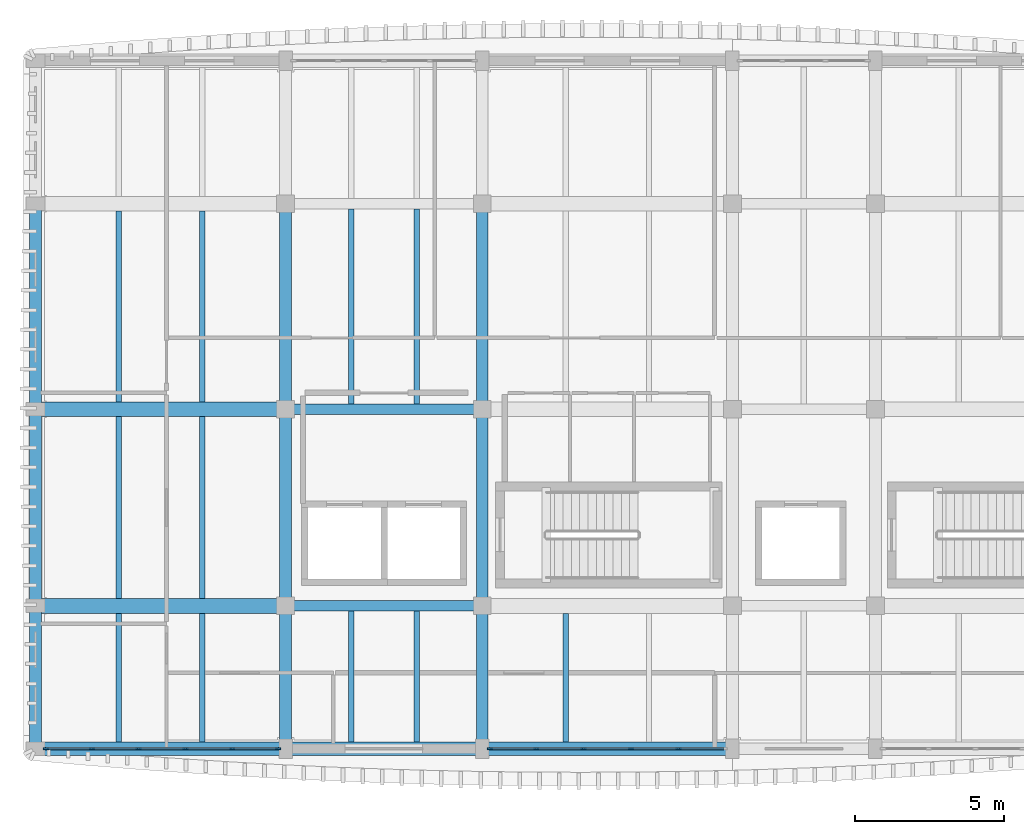
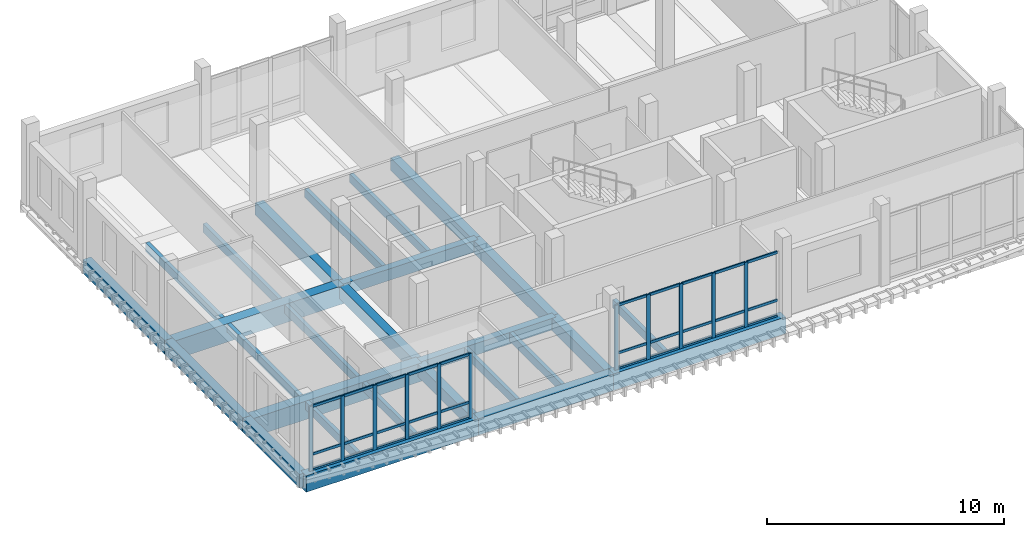
# One storey, part 2 of 16: 41 members, 27 beams, 2 elements without a shape of their own.
"""IFC4 building model written with IfcOpenShell, lengths in metres."""

from ifc_helpers import new_model, si_unit, direction, frame, origin, origin_2d, place, context, subcontext, project, spatial, rectangle, extrude, material, material_profile, profile_set, type_object, element, aggregate, save


model = new_model("IFC4")

# Units and contexts
model_context = context("Model", 3, precision=1e-05, world=origin(), true_north=direction((0.0, 1.0)))
body_context = subcontext(model_context, "Body", "Model", "MODEL_VIEW")
ifc_project = project(units=[si_unit("LENGTHUNIT", "METRE"), si_unit("AREAUNIT", "SQUARE_METRE"), si_unit("VOLUMEUNIT", "CUBIC_METRE"), si_unit("PLANEANGLEUNIT", "RADIAN"), si_unit("MASSUNIT", "GRAM", prefix="KILO")], contexts=[model_context])

# Site, building, storey
site_placement = place(None, origin())
site = spatial("IfcSite", under=ifc_project, at=site_placement, CompositionType="ELEMENT")
building_placement = place(site_placement, origin())
building = spatial("IfcBuilding", under=site, at=building_placement, Name="Dornvale Research Institute", CompositionType="ELEMENT")
storey_placement = place(building_placement, frame((0.0, 0.0, 38.39990234375)))
storey = spatial("IfcBuildingStorey", under=building, at=storey_placement, Name="L08", CompositionType="ELEMENT", Elevation=38.39990234375)

# Beams
ifc_material_1 = material(Name="Concrete f'c 45 MPa (C35/45)", Category="concrete")
ifc_material_profile_1 = material_profile(ifc_material_1, rectangle(XDim=0.35009765625, YDim=0.60009765625, at=origin_2d()), Name="RC 350x600")
ifc_profile_set_1 = profile_set([ifc_material_profile_1], Name="Concrete f'c 45 MPa (C35/45)")
beam_type_1 = type_object("IfcBeamType", Name="Beam_RC350x600_Floor", PredefinedType="BEAM", material=ifc_profile_set_1)
for number, where, z_axis, x_axis, name in (
    (1, (13.199951171875, 103.800048828125, -0.2998046875), (1.0, 0.0, 0.0), (0.0, 1.0, 0.0), "L08 primary girder #1668"),
    (2, (13.199951171875, 110.39990234375, -0.2998046875), (1.0, 0.0, 0.0), (0.0, 1.0, 0.0), "L08 primary girder #1673"),
):
    element("IfcBeam", number, at=place(storey_placement, frame(where, z_axis=z_axis, x_axis=x_axis)), inside=storey, type_object=beam_type_1, Name=name, PredefinedType="BEAM", context=body_context, shape_type="SweptSolid", body=[
        extrude(rectangle(XDim=0.35009765625, YDim=0.60009765625, at=origin_2d()), origin(), (0.0, 0.0, 1.0), 6.60009765625),
    ])
ifc_material_2 = material(Name="Concrete f'c 45 MPa (C35/45)", Category="concrete")
ifc_material_profile_2 = material_profile(ifc_material_2, rectangle(XDim=0.39990234375, YDim=0.64990234375, at=origin_2d()), Name="RC 400x650")
ifc_profile_set_2 = profile_set([ifc_material_profile_2], Name="Concrete f'c 45 MPa (C35/45)")
beam_type_2 = type_object("IfcBeamType", Name="Beam_RC400x650_Floor", PredefinedType="BEAM", material=ifc_profile_set_2)
beam_1_placement = place(storey_placement, frame((13.199951171875, 99.0, -0.324951171875), z_axis=(0.0, 1.0, 0.0), x_axis=(-1.0, 0.0, 0.0)))
element("IfcBeam", 3, at=beam_1_placement, inside=storey, type_object=beam_type_2, Name="L08 transverse girder #1691", PredefinedType="BEAM", context=body_context, shape_type="SweptSolid", body=[
    extrude(rectangle(XDim=0.39990234375, YDim=0.64990234375, at=origin_2d()), origin(), (0.0, 0.0, 1.0), 4.800048828125),
])
beam_2_placement = place(storey_placement, frame((13.199951171875, 103.800048828125, -0.324951171875), z_axis=(0.0, 1.0, 0.0), x_axis=(-1.0, 0.0, 0.0)))
element("IfcBeam", 4, at=beam_2_placement, inside=storey, type_object=beam_type_2, Name="L08 transverse girder #1692", PredefinedType="BEAM", context=body_context, shape_type="SweptSolid", body=[
    extrude(rectangle(XDim=0.39990234375, YDim=0.64990234375, at=origin_2d()), origin(), (0.0, 0.0, 1.0), 6.599853515625),
])
beam_3_placement = place(storey_placement, frame((13.199951171875, 110.39990234375, -0.324951171875), z_axis=(0.0, 1.0, 0.0), x_axis=(-1.0, 0.0, 0.0)))
element("IfcBeam", 5, at=beam_3_placement, inside=storey, type_object=beam_type_2, Name="L08 transverse girder #1693", PredefinedType="BEAM", context=body_context, shape_type="SweptSolid", body=[
    extrude(rectangle(XDim=0.39990234375, YDim=0.64990234375, at=origin_2d()), origin(), (0.0, 0.0, 1.0), 6.900146484375),
])
beam_4_placement = place(storey_placement, frame((19.800048828125, 99.0, -0.324951171875), z_axis=(0.0, 1.0, 0.0), x_axis=(-1.0, 0.0, 0.0)))
element("IfcBeam", 6, at=beam_4_placement, inside=storey, type_object=beam_type_2, Name="L08 transverse girder #1695", PredefinedType="BEAM", context=body_context, shape_type="SweptSolid", body=[
    extrude(rectangle(XDim=0.39990234375, YDim=0.64990234375, at=origin_2d()), origin(), (0.0, 0.0, 1.0), 4.800048828125),
])
beam_5_placement = place(storey_placement, frame((19.800048828125, 103.800048828125, -0.324951171875), z_axis=(0.0, 1.0, 0.0), x_axis=(-1.0, 0.0, 0.0)))
element("IfcBeam", 7, at=beam_5_placement, inside=storey, type_object=beam_type_2, Name="L08 transverse girder #1696", PredefinedType="BEAM", context=body_context, shape_type="SweptSolid", body=[
    extrude(rectangle(XDim=0.39990234375, YDim=0.64990234375, at=origin_2d()), origin(), (0.0, 0.0, 1.0), 6.599853515625),
])
beam_6_placement = place(storey_placement, frame((19.800048828125, 110.39990234375, -0.324951171875), z_axis=(0.0, 1.0, 0.0), x_axis=(-1.0, 0.0, 0.0)))
element("IfcBeam", 8, at=beam_6_placement, inside=storey, type_object=beam_type_2, Name="L08 transverse girder #1697", PredefinedType="BEAM", context=body_context, shape_type="SweptSolid", body=[
    extrude(rectangle(XDim=0.39990234375, YDim=0.64990234375, at=origin_2d()), origin(), (0.0, 0.0, 1.0), 6.900146484375),
])
ifc_material_3 = material(Name="Concrete f'c 45 MPa (C35/45)", Category="concrete")
ifc_material_profile_3 = material_profile(ifc_material_3, rectangle(XDim=0.5, YDim=0.949951171875, at=origin_2d()), Name="RC 500x950")
ifc_profile_set_3 = profile_set([ifc_material_profile_3], Name="Concrete f'c 45 MPa (C35/45)")
beam_type_3 = type_object("IfcBeamType", Name="Beam_RC500x950_Girder", PredefinedType="BEAM", material=ifc_profile_set_3)
for number, where, z_axis, x_axis, name in (
    (9, (4.800048828125, 103.800048828125, -0.474853515625), (1.0, 0.0, 0.0), (0.0, 1.0, 0.0), "L08 primary girder #1667"),
    (10, (4.800048828125, 110.39990234375, -0.474853515625), (1.0, 0.0, 0.0), (0.0, 1.0, 0.0), "L08 primary girder #1672"),
):
    element("IfcBeam", number, at=place(storey_placement, frame(where, z_axis=z_axis, x_axis=x_axis)), inside=storey, type_object=beam_type_3, Name=name, PredefinedType="BEAM", context=body_context, shape_type="SweptSolid", body=[
        extrude(rectangle(XDim=0.5, YDim=0.949951171875, at=origin_2d()), origin(), (0.0, 0.0, 1.0), 8.39990234375),
    ])
ifc_material_4 = material(Name="Concrete f'c 45 MPa (C35/45)", Category="concrete")
ifc_material_profile_4 = material_profile(ifc_material_4, rectangle(XDim=0.179931640625, YDim=0.43505859375, at=origin_2d()), Name="RC 180x435")
ifc_profile_set_4 = profile_set([ifc_material_profile_4], Name="Concrete f'c 45 MPa (C35/45)")
beam_type_4 = type_object("IfcBeamType", Name="Joist_RC180x435_Rib", PredefinedType="JOIST", material=ifc_profile_set_4)
for number, where, z_axis, x_axis, name in (
    (11, (7.60009765625, 99.22509765625, -0.21728515625), (0.0, 1.0, 0.0), (-1.0, 0.0, 0.0), "L08 laboratory waffle joist #792"),
    (12, (10.39990234375, 99.22509765625, -0.21728515625), (0.0, 1.0, 0.0), (-1.0, 0.0, 0.0), "L08 laboratory waffle joist #793"),
):
    element("IfcBeam", number, at=place(storey_placement, frame(where, z_axis=z_axis, x_axis=x_axis)), inside=storey, type_object=beam_type_4, Name=name, PredefinedType="JOIST", context=body_context, shape_type="SweptSolid", body=[
        extrude(rectangle(XDim=0.179931640625, YDim=0.43505859375, at=origin_2d()), origin(), (0.0, 0.0, 1.0), 4.324951171875),
    ])
for number, where, z_axis, x_axis, name in (
    (13, (7.60009765625, 104.050048828125, -0.21728515625), (0.0, 1.0, 0.0), (-1.0, 0.0, 0.0), "L08 laboratory waffle joist #794"),
    (14, (10.39990234375, 104.050048828125, -0.21728515625), (0.0, 1.0, 0.0), (-1.0, 0.0, 0.0), "L08 laboratory waffle joist #795"),
):
    element("IfcBeam", number, at=place(storey_placement, frame(where, z_axis=z_axis, x_axis=x_axis)), inside=storey, type_object=beam_type_4, Name=name, PredefinedType="JOIST", context=body_context, shape_type="SweptSolid", body=[
        extrude(rectangle(XDim=0.179931640625, YDim=0.43505859375, at=origin_2d()), origin(), (0.0, 0.0, 1.0), 6.099853515625),
    ])
for number, where, z_axis, x_axis, name in (
    (15, (7.60009765625, 110.64990234375, -0.21728515625), (0.0, 1.0, 0.0), (-1.0, 0.0, 0.0), "L08 laboratory waffle joist #796"),
    (16, (10.39990234375, 110.64990234375, -0.21728515625), (0.0, 1.0, 0.0), (-1.0, 0.0, 0.0), "L08 laboratory waffle joist #797"),
):
    element("IfcBeam", number, at=place(storey_placement, frame(where, z_axis=z_axis, x_axis=x_axis)), inside=storey, type_object=beam_type_4, Name=name, PredefinedType="JOIST", context=body_context, shape_type="SweptSolid", body=[
        extrude(rectangle(XDim=0.179931640625, YDim=0.43505859375, at=origin_2d()), origin(), (0.0, 0.0, 1.0), 6.400146484375),
    ])
for number, where, z_axis, x_axis, name in (
    (17, (15.39990234375, 99.22509765625, -0.21728515625), (0.0, 1.0, 0.0), (-1.0, 0.0, 0.0), "L08 laboratory waffle joist #800"),
    (18, (17.60009765625, 99.22509765625, -0.21728515625), (0.0, 1.0, 0.0), (-1.0, 0.0, 0.0), "L08 laboratory waffle joist #801"),
):
    element("IfcBeam", number, at=place(storey_placement, frame(where, z_axis=z_axis, x_axis=x_axis)), inside=storey, type_object=beam_type_4, Name=name, PredefinedType="JOIST", context=body_context, shape_type="SweptSolid", body=[
        extrude(rectangle(XDim=0.179931640625, YDim=0.43505859375, at=origin_2d()), origin(), (0.0, 0.0, 1.0), 4.39990234375),
    ])
for number, where, z_axis, x_axis, name in (
    (19, (15.39990234375, 110.574951171875, -0.21728515625), (0.0, 1.0, 0.0), (-1.0, 0.0, 0.0), "L08 laboratory waffle joist #802"),
    (20, (17.60009765625, 110.574951171875, -0.21728515625), (0.0, 1.0, 0.0), (-1.0, 0.0, 0.0), "L08 laboratory waffle joist #803"),
):
    element("IfcBeam", number, at=place(storey_placement, frame(where, z_axis=z_axis, x_axis=x_axis)), inside=storey, type_object=beam_type_4, Name=name, PredefinedType="JOIST", context=body_context, shape_type="SweptSolid", body=[
        extrude(rectangle(XDim=0.179931640625, YDim=0.43505859375, at=origin_2d()), origin(), (0.0, 0.0, 1.0), 6.550048828125),
    ])
beam_7_placement = place(storey_placement, frame((22.60009765625, 99.22509765625, -0.21728515625), z_axis=(0.0, 1.0, 0.0), x_axis=(-1.0, 0.0, 0.0)))
element("IfcBeam", 21, at=beam_7_placement, inside=storey, type_object=beam_type_4, Name="L08 laboratory waffle joist #806", PredefinedType="JOIST", context=body_context, shape_type="SweptSolid", body=[
    extrude(rectangle(XDim=0.179931640625, YDim=0.43505859375, at=origin_2d()), origin(), (0.0, 0.0, 1.0), 4.324951171875),
])

# Curtain wall, members
ifc_material_5 = material(Name="Low-E Argon Double Insulating Glazing Unit", Category="glass")
curtain_wall_type_1 = type_object("IfcCurtainWallType", Name="UnitisedCurtainWall_V5_7950x3350", PredefinedType="USERDEFINED", material=ifc_material_5)
curtain_wall_1_placement = place(storey_placement, origin())
curtain_wall_1 = element("IfcCurtainWall", 22, at=curtain_wall_1_placement, inside=storey, type_object=curtain_wall_type_1, Name="L08 V5 unitised curtain wall CW-38 #193", ObjectType="UNITISED CURTAIN WALL", PredefinedType="USERDEFINED")
ifc_material_6 = material(Name="Anodized Aluminum AA 6063-T6 Thermally Broken Frame", Category="aluminium")
ifc_material_profile_5 = material_profile(ifc_material_6, rectangle(XDim=0.06494140625, YDim=0.179931640625, at=origin_2d()), Name="ALU MULLION 65x180")
ifc_profile_set_5 = profile_set([ifc_material_profile_5], Name="Anodized Aluminum AA 6063-T6 Thermally Broken Frame")
member_type_1 = type_object("IfcMemberType", Name="Mullion_CW_65x180", PredefinedType="MULLION", material=ifc_profile_set_5)
member_1_placement = place(storey_placement, frame((26.385009765625, 99.0, 0.0), z_axis=(0.0, 0.0, 1.0), x_axis=(0.0, -1.0, 0.0)))
member_1 = element("IfcMember", 23, at=member_1_placement, type_object=member_type_1, Name="CW-38 mullion 2", PredefinedType="MULLION", context=body_context, shape_type="SweptSolid", body=[
    extrude(rectangle(XDim=0.06494140625, YDim=0.179931640625, at=origin_2d()), origin(), (0.0, 0.0, 1.0), 3.35009765625),
])
member_2_placement = place(storey_placement, frame((24.794921875, 99.0, 0.0), z_axis=(0.0, 0.0, 1.0), x_axis=(0.0, -1.0, 0.0)))
member_2 = element("IfcMember", 24, at=member_2_placement, type_object=member_type_1, Name="CW-38 mullion 3", PredefinedType="MULLION", context=body_context, shape_type="SweptSolid", body=[
    extrude(rectangle(XDim=0.06494140625, YDim=0.179931640625, at=origin_2d()), origin(), (0.0, 0.0, 1.0), 3.35009765625),
])
member_3_placement = place(storey_placement, frame((23.205078125, 99.0, 0.0), z_axis=(0.0, 0.0, 1.0), x_axis=(0.0, -1.0, 0.0)))
member_3 = element("IfcMember", 25, at=member_3_placement, type_object=member_type_1, Name="CW-38 mullion 4", PredefinedType="MULLION", context=body_context, shape_type="SweptSolid", body=[
    extrude(rectangle(XDim=0.06494140625, YDim=0.179931640625, at=origin_2d()), origin(), (0.0, 0.0, 1.0), 3.35009765625),
])
member_4_placement = place(storey_placement, frame((21.614990234375, 99.0, 0.0), z_axis=(0.0, 0.0, 1.0), x_axis=(0.0, -1.0, 0.0)))
member_4 = element("IfcMember", 26, at=member_4_placement, type_object=member_type_1, Name="CW-38 mullion 5", PredefinedType="MULLION", context=body_context, shape_type="SweptSolid", body=[
    extrude(rectangle(XDim=0.06494140625, YDim=0.179931640625, at=origin_2d()), origin(), (0.0, 0.0, 1.0), 3.35009765625),
])
member_5_placement = place(storey_placement, frame((20.0576171875, 99.0, 0.0), z_axis=(0.0, 0.0, 1.0), x_axis=(0.0, -1.0, 0.0)))
member_5 = element("IfcMember", 27, at=member_5_placement, type_object=member_type_1, Name="CW-38 mullion 6", PredefinedType="MULLION", context=body_context, shape_type="SweptSolid", body=[
    extrude(rectangle(XDim=0.06494140625, YDim=0.179931640625, at=origin_2d()), origin(), (0.0, 0.0, 1.0), 3.35009765625),
])

ifc_material_7 = material(Name="Low-E Argon Double Insulating Glazing Unit", Category="glass")
curtain_wall_type_2 = type_object("IfcCurtainWallType", Name="UnitisedCurtainWall_V5_7850x3350", PredefinedType="USERDEFINED", material=ifc_material_7)
curtain_wall_2_placement = place(storey_placement, origin())
curtain_wall_2 = element("IfcCurtainWall", 28, at=curtain_wall_2_placement, inside=storey, type_object=curtain_wall_type_2, Name="L08 V5 unitised curtain wall CW-37 #194", ObjectType="UNITISED CURTAIN WALL", PredefinedType="USERDEFINED")
member_6_placement = place(storey_placement, frame((12.9423828125, 99.0, 0.0), z_axis=(0.0, 0.0, 1.0), x_axis=(0.0, -1.0, 0.0)))
member_6 = element("IfcMember", 29, at=member_6_placement, type_object=member_type_1, Name="CW-37 mullion 1", PredefinedType="MULLION", context=body_context, shape_type="SweptSolid", body=[
    extrude(rectangle(XDim=0.06494140625, YDim=0.179931640625, at=origin_2d()), origin(), (0.0, 0.0, 1.0), 3.35009765625),
])
member_7_placement = place(storey_placement, frame((11.405029296875, 99.0, 0.0), z_axis=(0.0, 0.0, 1.0), x_axis=(0.0, -1.0, 0.0)))
member_7 = element("IfcMember", 30, at=member_7_placement, type_object=member_type_1, Name="CW-37 mullion 2", PredefinedType="MULLION", context=body_context, shape_type="SweptSolid", body=[
    extrude(rectangle(XDim=0.06494140625, YDim=0.179931640625, at=origin_2d()), origin(), (0.0, 0.0, 1.0), 3.35009765625),
])
member_8_placement = place(storey_placement, frame((9.8349609375, 99.0, 0.0), z_axis=(0.0, 0.0, 1.0), x_axis=(0.0, -1.0, 0.0)))
member_8 = element("IfcMember", 31, at=member_8_placement, type_object=member_type_1, Name="CW-37 mullion 3", PredefinedType="MULLION", context=body_context, shape_type="SweptSolid", body=[
    extrude(rectangle(XDim=0.06494140625, YDim=0.179931640625, at=origin_2d()), origin(), (0.0, 0.0, 1.0), 3.35009765625),
])
member_9_placement = place(storey_placement, frame((8.264892578125, 99.0, 0.0), z_axis=(0.0, 0.0, 1.0), x_axis=(0.0, -1.0, 0.0)))
member_9 = element("IfcMember", 32, at=member_9_placement, type_object=member_type_1, Name="CW-37 mullion 4", PredefinedType="MULLION", context=body_context, shape_type="SweptSolid", body=[
    extrude(rectangle(XDim=0.06494140625, YDim=0.179931640625, at=origin_2d()), origin(), (0.0, 0.0, 1.0), 3.35009765625),
])
member_10_placement = place(storey_placement, frame((6.695068359375, 99.0, 0.0), z_axis=(0.0, 0.0, 1.0), x_axis=(0.0, -1.0, 0.0)))
member_10 = element("IfcMember", 33, at=member_10_placement, type_object=member_type_1, Name="CW-37 mullion 5", PredefinedType="MULLION", context=body_context, shape_type="SweptSolid", body=[
    extrude(rectangle(XDim=0.06494140625, YDim=0.179931640625, at=origin_2d()), origin(), (0.0, 0.0, 1.0), 3.35009765625),
])
member_11_placement = place(storey_placement, frame((5.157470703125, 99.0, 0.0), z_axis=(0.0, 0.0, 1.0), x_axis=(0.0, -1.0, 0.0)))
member_11 = element("IfcMember", 34, at=member_11_placement, type_object=member_type_1, Name="CW-37 mullion 6", PredefinedType="MULLION", context=body_context, shape_type="SweptSolid", body=[
    extrude(rectangle(XDim=0.06494140625, YDim=0.179931640625, at=origin_2d()), origin(), (0.0, 0.0, 1.0), 3.35009765625),
])

# Beams
ifc_material_8 = material(Name="Concrete f'c 45 MPa (C35/45)", Category="concrete")
ifc_material_profile_6 = material_profile(ifc_material_8, rectangle(XDim=0.39990234375, YDim=0.699951171875, at=origin_2d()), Name="RC 400x700")
ifc_profile_set_6 = profile_set([ifc_material_profile_6], Name="Concrete f'c 45 MPa (C35/45)")
beam_type_5 = type_object("IfcBeamType", Name="Spandrel_RC400x700_Ext", PredefinedType="SPANDREL", material=ifc_profile_set_6)
beam_8_placement = place(storey_placement, frame((4.800048828125, 99.0, -0.349853515625), z_axis=(0.0, 1.0, 0.0), x_axis=(-1.0, 0.0, 0.0)))
element("IfcBeam", 35, at=beam_8_placement, inside=storey, type_object=beam_type_5, Name="L08 perimeter spandrel #1687", PredefinedType="SPANDREL", context=body_context, shape_type="SweptSolid", body=[
    extrude(rectangle(XDim=0.39990234375, YDim=0.699951171875, at=origin_2d()), origin(), (0.0, 0.0, 1.0), 4.800048828125),
])
beam_9_placement = place(storey_placement, frame((4.800048828125, 103.800048828125, -0.349853515625), z_axis=(0.0, 1.0, 0.0), x_axis=(-1.0, 0.0, 0.0)))
element("IfcBeam", 36, at=beam_9_placement, inside=storey, type_object=beam_type_5, Name="L08 perimeter spandrel #1688", PredefinedType="SPANDREL", context=body_context, shape_type="SweptSolid", body=[
    extrude(rectangle(XDim=0.39990234375, YDim=0.699951171875, at=origin_2d()), origin(), (0.0, 0.0, 1.0), 6.599853515625),
])
beam_10_placement = place(storey_placement, frame((4.800048828125, 110.39990234375, -0.349853515625), z_axis=(0.0, 1.0, 0.0), x_axis=(-1.0, 0.0, 0.0)))
element("IfcBeam", 37, at=beam_10_placement, inside=storey, type_object=beam_type_5, Name="L08 perimeter spandrel #1689", PredefinedType="SPANDREL", context=body_context, shape_type="SweptSolid", body=[
    extrude(rectangle(XDim=0.39990234375, YDim=0.699951171875, at=origin_2d()), origin(), (0.0, 0.0, 1.0), 6.900146484375),
])
ifc_material_9 = material(Name="Concrete f'c 45 MPa (C35/45)", Category="concrete")
ifc_material_profile_7 = material_profile(ifc_material_9, rectangle(XDim=0.449951171875, YDim=0.85009765625, at=origin_2d()), Name="RC 450x850")
ifc_profile_set_7 = profile_set([ifc_material_profile_7], Name="Concrete f'c 45 MPa (C35/45)")
beam_type_6 = type_object("IfcBeamType", Name="Spandrel_RC450x850_Ext", PredefinedType="SPANDREL", material=ifc_profile_set_7)
beam_11_placement = place(storey_placement, frame((4.800048828125, 99.0, -0.4248046875), z_axis=(1.0, 0.0, 0.0), x_axis=(0.0, 1.0, 0.0)))
element("IfcBeam", 38, at=beam_11_placement, inside=storey, type_object=beam_type_6, Name="L08 perimeter spandrel #1662", PredefinedType="SPANDREL", context=body_context, shape_type="SweptSolid", body=[
    extrude(rectangle(XDim=0.449951171875, YDim=0.85009765625, at=origin_2d()), origin(), (0.0, 0.0, 1.0), 8.39990234375),
])
beam_12_placement = place(storey_placement, frame((13.199951171875, 99.0, -0.4248046875), z_axis=(1.0, 0.0, 0.0), x_axis=(0.0, 1.0, 0.0)))
element("IfcBeam", 39, at=beam_12_placement, inside=storey, type_object=beam_type_6, Name="L08 perimeter spandrel #1663", PredefinedType="SPANDREL", context=body_context, shape_type="SweptSolid", body=[
    extrude(rectangle(XDim=0.449951171875, YDim=0.85009765625, at=origin_2d()), origin(), (0.0, 0.0, 1.0), 6.60009765625),
])
beam_13_placement = place(storey_placement, frame((19.800048828125, 99.0, -0.4248046875), z_axis=(1.0, 0.0, 0.0), x_axis=(0.0, 1.0, 0.0)))
element("IfcBeam", 40, at=beam_13_placement, inside=storey, type_object=beam_type_6, Name="L08 perimeter spandrel #1664", PredefinedType="SPANDREL", context=body_context, shape_type="SweptSolid", body=[
    extrude(rectangle(XDim=0.449951171875, YDim=0.85009765625, at=origin_2d()), origin(), (0.0, 0.0, 1.0), 8.39990234375),
])

# Member
ifc_material_10 = material(Name="Anodized Aluminum AA 6063-T6 Thermally Broken Frame", Category="aluminium")
ifc_material_profile_8 = material_profile(ifc_material_10, rectangle(XDim=0.06494140625, YDim=0.135009765625, at=origin_2d()), Name="ALU TRANSOM 65x135")
ifc_profile_set_8 = profile_set([ifc_material_profile_8], Name="Anodized Aluminum AA 6063-T6 Thermally Broken Frame")
member_type_2 = type_object("IfcMemberType", Name="Transom_CW_65x135", PredefinedType="USERDEFINED", material=ifc_profile_set_8)
member_12_placement = place(storey_placement, frame((27.909912109375, 99.0, 0.03271484375), z_axis=(-1.0, 0.0, 0.0), x_axis=(0.0, -1.0, 0.0)))
member_12 = element("IfcMember", 41, at=member_12_placement, type_object=member_type_2, Name="CW-38 transom 1.1", ObjectType="TRANSOM", PredefinedType="USERDEFINED", context=body_context, shape_type="SweptSolid", body=[
    extrude(rectangle(XDim=0.06494140625, YDim=0.135009765625, at=origin_2d()), origin(), (0.0, 0.0, 1.0), 1.492431640625),
])

member_13_placement = place(storey_placement, frame((27.909912109375, 99.0, 0.85009765625), z_axis=(-1.0, 0.0, 0.0), x_axis=(0.0, -1.0, 0.0)))
member_13 = element("IfcMember", 42, at=member_13_placement, type_object=member_type_2, Name="CW-38 transom 1.2", ObjectType="TRANSOM", PredefinedType="USERDEFINED", context=body_context, shape_type="SweptSolid", body=[
    extrude(rectangle(XDim=0.06494140625, YDim=0.135009765625, at=origin_2d()), origin(), (0.0, 0.0, 1.0), 1.492431640625),
])

member_14_placement = place(storey_placement, frame((27.909912109375, 99.0, 3.317626953125), z_axis=(-1.0, 0.0, 0.0), x_axis=(0.0, -1.0, 0.0)))
member_14 = element("IfcMember", 43, at=member_14_placement, type_object=member_type_2, Name="CW-38 transom 1.3", ObjectType="TRANSOM", PredefinedType="USERDEFINED", context=body_context, shape_type="SweptSolid", body=[
    extrude(rectangle(XDim=0.06494140625, YDim=0.135009765625, at=origin_2d()), origin(), (0.0, 0.0, 1.0), 1.492431640625),
])

member_15_placement = place(storey_placement, frame((26.3525390625, 99.0, 0.03271484375), z_axis=(-1.0, 0.0, 0.0), x_axis=(0.0, -1.0, 0.0)))
member_15 = element("IfcMember", 44, at=member_15_placement, type_object=member_type_2, Name="CW-38 transom 2.1", ObjectType="TRANSOM", PredefinedType="USERDEFINED", context=body_context, shape_type="SweptSolid", body=[
    extrude(rectangle(XDim=0.06494140625, YDim=0.135009765625, at=origin_2d()), origin(), (0.0, 0.0, 1.0), 1.525146484375),
])

member_16_placement = place(storey_placement, frame((26.3525390625, 99.0, 0.85009765625), z_axis=(-1.0, 0.0, 0.0), x_axis=(0.0, -1.0, 0.0)))
member_16 = element("IfcMember", 45, at=member_16_placement, type_object=member_type_2, Name="CW-38 transom 2.2", ObjectType="TRANSOM", PredefinedType="USERDEFINED", context=body_context, shape_type="SweptSolid", body=[
    extrude(rectangle(XDim=0.06494140625, YDim=0.135009765625, at=origin_2d()), origin(), (0.0, 0.0, 1.0), 1.525146484375),
])

member_17_placement = place(storey_placement, frame((26.3525390625, 99.0, 3.317626953125), z_axis=(-1.0, 0.0, 0.0), x_axis=(0.0, -1.0, 0.0)))
member_17 = element("IfcMember", 46, at=member_17_placement, type_object=member_type_2, Name="CW-38 transom 2.3", ObjectType="TRANSOM", PredefinedType="USERDEFINED", context=body_context, shape_type="SweptSolid", body=[
    extrude(rectangle(XDim=0.06494140625, YDim=0.135009765625, at=origin_2d()), origin(), (0.0, 0.0, 1.0), 1.525146484375),
])

member_18_placement = place(storey_placement, frame((24.762451171875, 99.0, 0.03271484375), z_axis=(-1.0, 0.0, 0.0), x_axis=(0.0, -1.0, 0.0)))
member_18 = element("IfcMember", 47, at=member_18_placement, type_object=member_type_2, Name="CW-38 transom 3.1", ObjectType="TRANSOM", PredefinedType="USERDEFINED", context=body_context, shape_type="SweptSolid", body=[
    extrude(rectangle(XDim=0.06494140625, YDim=0.135009765625, at=origin_2d()), origin(), (0.0, 0.0, 1.0), 1.52490234375),
])

member_19_placement = place(storey_placement, frame((24.762451171875, 99.0, 0.85009765625), z_axis=(-1.0, 0.0, 0.0), x_axis=(0.0, -1.0, 0.0)))
member_19 = element("IfcMember", 48, at=member_19_placement, type_object=member_type_2, Name="CW-38 transom 3.2", ObjectType="TRANSOM", PredefinedType="USERDEFINED", context=body_context, shape_type="SweptSolid", body=[
    extrude(rectangle(XDim=0.06494140625, YDim=0.135009765625, at=origin_2d()), origin(), (0.0, 0.0, 1.0), 1.52490234375),
])

member_20_placement = place(storey_placement, frame((24.762451171875, 99.0, 3.317626953125), z_axis=(-1.0, 0.0, 0.0), x_axis=(0.0, -1.0, 0.0)))
member_20 = element("IfcMember", 49, at=member_20_placement, type_object=member_type_2, Name="CW-38 transom 3.3", ObjectType="TRANSOM", PredefinedType="USERDEFINED", context=body_context, shape_type="SweptSolid", body=[
    extrude(rectangle(XDim=0.06494140625, YDim=0.135009765625, at=origin_2d()), origin(), (0.0, 0.0, 1.0), 1.52490234375),
])

member_21_placement = place(storey_placement, frame((23.172607421875, 99.0, 0.03271484375), z_axis=(-1.0, 0.0, 0.0), x_axis=(0.0, -1.0, 0.0)))
member_21 = element("IfcMember", 50, at=member_21_placement, type_object=member_type_2, Name="CW-38 transom 4.1", ObjectType="TRANSOM", PredefinedType="USERDEFINED", context=body_context, shape_type="SweptSolid", body=[
    extrude(rectangle(XDim=0.06494140625, YDim=0.135009765625, at=origin_2d()), origin(), (0.0, 0.0, 1.0), 1.525146484375),
])

member_22_placement = place(storey_placement, frame((23.172607421875, 99.0, 0.85009765625), z_axis=(-1.0, 0.0, 0.0), x_axis=(0.0, -1.0, 0.0)))
member_22 = element("IfcMember", 51, at=member_22_placement, type_object=member_type_2, Name="CW-38 transom 4.2", ObjectType="TRANSOM", PredefinedType="USERDEFINED", context=body_context, shape_type="SweptSolid", body=[
    extrude(rectangle(XDim=0.06494140625, YDim=0.135009765625, at=origin_2d()), origin(), (0.0, 0.0, 1.0), 1.525146484375),
])

member_23_placement = place(storey_placement, frame((23.172607421875, 99.0, 3.317626953125), z_axis=(-1.0, 0.0, 0.0), x_axis=(0.0, -1.0, 0.0)))
member_23 = element("IfcMember", 52, at=member_23_placement, type_object=member_type_2, Name="CW-38 transom 4.3", ObjectType="TRANSOM", PredefinedType="USERDEFINED", context=body_context, shape_type="SweptSolid", body=[
    extrude(rectangle(XDim=0.06494140625, YDim=0.135009765625, at=origin_2d()), origin(), (0.0, 0.0, 1.0), 1.525146484375),
])

member_24_placement = place(storey_placement, frame((21.58251953125, 99.0, 0.03271484375), z_axis=(-1.0, 0.0, 0.0), x_axis=(0.0, -1.0, 0.0)))
member_24 = element("IfcMember", 53, at=member_24_placement, type_object=member_type_2, Name="CW-38 transom 5.1", ObjectType="TRANSOM", PredefinedType="USERDEFINED", context=body_context, shape_type="SweptSolid", body=[
    extrude(rectangle(XDim=0.06494140625, YDim=0.135009765625, at=origin_2d()), origin(), (0.0, 0.0, 1.0), 1.492431640625),
])

member_25_placement = place(storey_placement, frame((21.58251953125, 99.0, 0.85009765625), z_axis=(-1.0, 0.0, 0.0), x_axis=(0.0, -1.0, 0.0)))
member_25 = element("IfcMember", 54, at=member_25_placement, type_object=member_type_2, Name="CW-38 transom 5.2", ObjectType="TRANSOM", PredefinedType="USERDEFINED", context=body_context, shape_type="SweptSolid", body=[
    extrude(rectangle(XDim=0.06494140625, YDim=0.135009765625, at=origin_2d()), origin(), (0.0, 0.0, 1.0), 1.492431640625),
])

member_26_placement = place(storey_placement, frame((21.58251953125, 99.0, 3.317626953125), z_axis=(-1.0, 0.0, 0.0), x_axis=(0.0, -1.0, 0.0)))
member_26 = element("IfcMember", 55, at=member_26_placement, type_object=member_type_2, Name="CW-38 transom 5.3", ObjectType="TRANSOM", PredefinedType="USERDEFINED", context=body_context, shape_type="SweptSolid", body=[
    extrude(rectangle(XDim=0.06494140625, YDim=0.135009765625, at=origin_2d()), origin(), (0.0, 0.0, 1.0), 1.492431640625),
])

aggregate(curtain_wall_1, [member_1, member_2, member_3, member_4, member_5, member_12, member_13, member_14, member_15, member_16, member_17, member_18, member_19, member_20, member_21, member_22, member_23, member_24, member_25, member_26])

member_27_placement = place(storey_placement, frame((12.909912109375, 99.0, 0.03271484375), z_axis=(-1.0, 0.0, 0.0), x_axis=(0.0, -1.0, 0.0)))
member_27 = element("IfcMember", 56, at=member_27_placement, type_object=member_type_2, Name="CW-37 transom 1.1", ObjectType="TRANSOM", PredefinedType="USERDEFINED", context=body_context, shape_type="SweptSolid", body=[
    extrude(rectangle(XDim=0.06494140625, YDim=0.135009765625, at=origin_2d()), origin(), (0.0, 0.0, 1.0), 1.472412109375),
])

member_28_placement = place(storey_placement, frame((12.909912109375, 99.0, 0.85009765625), z_axis=(-1.0, 0.0, 0.0), x_axis=(0.0, -1.0, 0.0)))
member_28 = element("IfcMember", 57, at=member_28_placement, type_object=member_type_2, Name="CW-37 transom 1.2", ObjectType="TRANSOM", PredefinedType="USERDEFINED", context=body_context, shape_type="SweptSolid", body=[
    extrude(rectangle(XDim=0.06494140625, YDim=0.135009765625, at=origin_2d()), origin(), (0.0, 0.0, 1.0), 1.472412109375),
])

member_29_placement = place(storey_placement, frame((12.909912109375, 99.0, 3.317626953125), z_axis=(-1.0, 0.0, 0.0), x_axis=(0.0, -1.0, 0.0)))
member_29 = element("IfcMember", 58, at=member_29_placement, type_object=member_type_2, Name="CW-37 transom 1.3", ObjectType="TRANSOM", PredefinedType="USERDEFINED", context=body_context, shape_type="SweptSolid", body=[
    extrude(rectangle(XDim=0.06494140625, YDim=0.135009765625, at=origin_2d()), origin(), (0.0, 0.0, 1.0), 1.472412109375),
])

member_30_placement = place(storey_placement, frame((11.37255859375, 99.0, 0.03271484375), z_axis=(-1.0, 0.0, 0.0), x_axis=(0.0, -1.0, 0.0)))
member_30 = element("IfcMember", 59, at=member_30_placement, type_object=member_type_2, Name="CW-37 transom 2.1", ObjectType="TRANSOM", PredefinedType="USERDEFINED", context=body_context, shape_type="SweptSolid", body=[
    extrude(rectangle(XDim=0.06494140625, YDim=0.135009765625, at=origin_2d()), origin(), (0.0, 0.0, 1.0), 1.505126953125),
])

member_31_placement = place(storey_placement, frame((11.37255859375, 99.0, 0.85009765625), z_axis=(-1.0, 0.0, 0.0), x_axis=(0.0, -1.0, 0.0)))
member_31 = element("IfcMember", 60, at=member_31_placement, type_object=member_type_2, Name="CW-37 transom 2.2", ObjectType="TRANSOM", PredefinedType="USERDEFINED", context=body_context, shape_type="SweptSolid", body=[
    extrude(rectangle(XDim=0.06494140625, YDim=0.135009765625, at=origin_2d()), origin(), (0.0, 0.0, 1.0), 1.505126953125),
])

member_32_placement = place(storey_placement, frame((11.37255859375, 99.0, 3.317626953125), z_axis=(-1.0, 0.0, 0.0), x_axis=(0.0, -1.0, 0.0)))
member_32 = element("IfcMember", 61, at=member_32_placement, type_object=member_type_2, Name="CW-37 transom 2.3", ObjectType="TRANSOM", PredefinedType="USERDEFINED", context=body_context, shape_type="SweptSolid", body=[
    extrude(rectangle(XDim=0.06494140625, YDim=0.135009765625, at=origin_2d()), origin(), (0.0, 0.0, 1.0), 1.505126953125),
])

member_33_placement = place(storey_placement, frame((9.802490234375, 99.0, 0.03271484375), z_axis=(-1.0, 0.0, 0.0), x_axis=(0.0, -1.0, 0.0)))
member_33 = element("IfcMember", 62, at=member_33_placement, type_object=member_type_2, Name="CW-37 transom 3.1", ObjectType="TRANSOM", PredefinedType="USERDEFINED", context=body_context, shape_type="SweptSolid", body=[
    extrude(rectangle(XDim=0.06494140625, YDim=0.135009765625, at=origin_2d()), origin(), (0.0, 0.0, 1.0), 1.5048828125),
])

member_34_placement = place(storey_placement, frame((9.802490234375, 99.0, 0.85009765625), z_axis=(-1.0, 0.0, 0.0), x_axis=(0.0, -1.0, 0.0)))
member_34 = element("IfcMember", 63, at=member_34_placement, type_object=member_type_2, Name="CW-37 transom 3.2", ObjectType="TRANSOM", PredefinedType="USERDEFINED", context=body_context, shape_type="SweptSolid", body=[
    extrude(rectangle(XDim=0.06494140625, YDim=0.135009765625, at=origin_2d()), origin(), (0.0, 0.0, 1.0), 1.5048828125),
])

member_35_placement = place(storey_placement, frame((9.802490234375, 99.0, 3.317626953125), z_axis=(-1.0, 0.0, 0.0), x_axis=(0.0, -1.0, 0.0)))
member_35 = element("IfcMember", 64, at=member_35_placement, type_object=member_type_2, Name="CW-37 transom 3.3", ObjectType="TRANSOM", PredefinedType="USERDEFINED", context=body_context, shape_type="SweptSolid", body=[
    extrude(rectangle(XDim=0.06494140625, YDim=0.135009765625, at=origin_2d()), origin(), (0.0, 0.0, 1.0), 1.5048828125),
])

member_36_placement = place(storey_placement, frame((8.232421875, 99.0, 0.03271484375), z_axis=(-1.0, 0.0, 0.0), x_axis=(0.0, -1.0, 0.0)))
member_36 = element("IfcMember", 65, at=member_36_placement, type_object=member_type_2, Name="CW-37 transom 4.1", ObjectType="TRANSOM", PredefinedType="USERDEFINED", context=body_context, shape_type="SweptSolid", body=[
    extrude(rectangle(XDim=0.06494140625, YDim=0.135009765625, at=origin_2d()), origin(), (0.0, 0.0, 1.0), 1.5048828125),
])

member_37_placement = place(storey_placement, frame((8.232421875, 99.0, 0.85009765625), z_axis=(-1.0, 0.0, 0.0), x_axis=(0.0, -1.0, 0.0)))
member_37 = element("IfcMember", 66, at=member_37_placement, type_object=member_type_2, Name="CW-37 transom 4.2", ObjectType="TRANSOM", PredefinedType="USERDEFINED", context=body_context, shape_type="SweptSolid", body=[
    extrude(rectangle(XDim=0.06494140625, YDim=0.135009765625, at=origin_2d()), origin(), (0.0, 0.0, 1.0), 1.5048828125),
])

member_38_placement = place(storey_placement, frame((8.232421875, 99.0, 3.317626953125), z_axis=(-1.0, 0.0, 0.0), x_axis=(0.0, -1.0, 0.0)))
member_38 = element("IfcMember", 67, at=member_38_placement, type_object=member_type_2, Name="CW-37 transom 4.3", ObjectType="TRANSOM", PredefinedType="USERDEFINED", context=body_context, shape_type="SweptSolid", body=[
    extrude(rectangle(XDim=0.06494140625, YDim=0.135009765625, at=origin_2d()), origin(), (0.0, 0.0, 1.0), 1.5048828125),
])

member_39_placement = place(storey_placement, frame((6.66259765625, 99.0, 0.03271484375), z_axis=(-1.0, 0.0, 0.0), x_axis=(0.0, -1.0, 0.0)))
member_39 = element("IfcMember", 68, at=member_39_placement, type_object=member_type_2, Name="CW-37 transom 5.1", ObjectType="TRANSOM", PredefinedType="USERDEFINED", context=body_context, shape_type="SweptSolid", body=[
    extrude(rectangle(XDim=0.06494140625, YDim=0.135009765625, at=origin_2d()), origin(), (0.0, 0.0, 1.0), 1.47265625),
])

member_40_placement = place(storey_placement, frame((6.66259765625, 99.0, 0.85009765625), z_axis=(-1.0, 0.0, 0.0), x_axis=(0.0, -1.0, 0.0)))
member_40 = element("IfcMember", 69, at=member_40_placement, type_object=member_type_2, Name="CW-37 transom 5.2", ObjectType="TRANSOM", PredefinedType="USERDEFINED", context=body_context, shape_type="SweptSolid", body=[
    extrude(rectangle(XDim=0.06494140625, YDim=0.135009765625, at=origin_2d()), origin(), (0.0, 0.0, 1.0), 1.47265625),
])

member_41_placement = place(storey_placement, frame((6.66259765625, 99.0, 3.317626953125), z_axis=(-1.0, 0.0, 0.0), x_axis=(0.0, -1.0, 0.0)))
member_41 = element("IfcMember", 70, at=member_41_placement, type_object=member_type_2, Name="CW-37 transom 5.3", ObjectType="TRANSOM", PredefinedType="USERDEFINED", context=body_context, shape_type="SweptSolid", body=[
    extrude(rectangle(XDim=0.06494140625, YDim=0.135009765625, at=origin_2d()), origin(), (0.0, 0.0, 1.0), 1.47265625),
])

aggregate(curtain_wall_2, [member_6, member_7, member_8, member_9, member_10, member_11, member_27, member_28, member_29, member_30, member_31, member_32, member_33, member_34, member_35, member_36, member_37, member_38, member_39, member_40, member_41])

save(model, "model.ifc")
